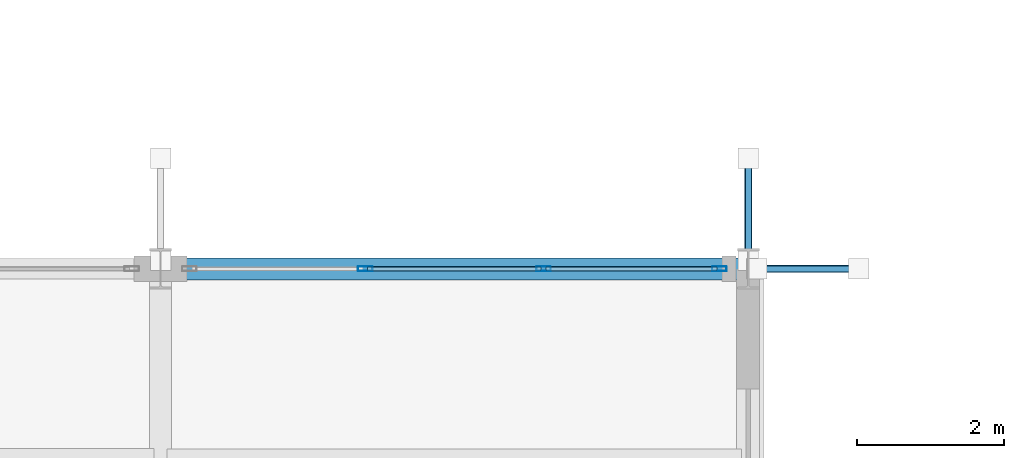
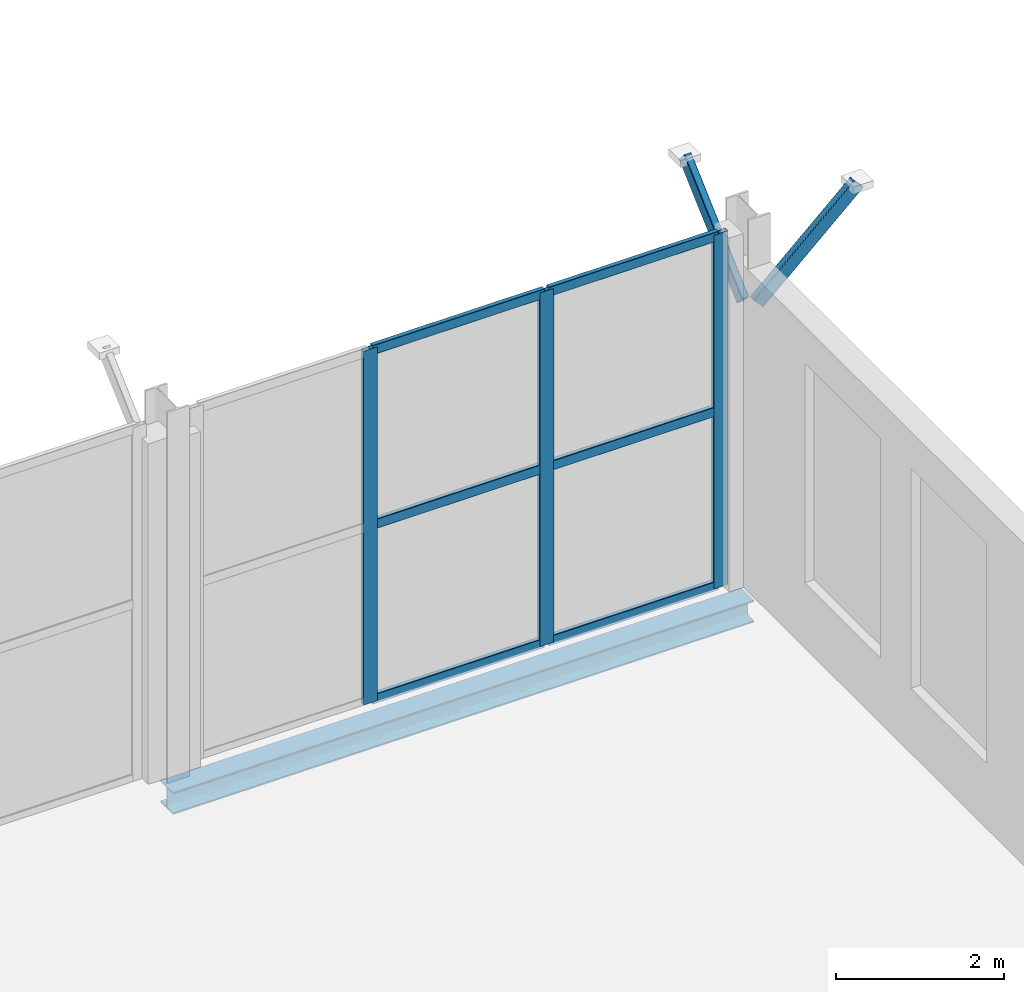
# One storey, part 33 of 147: 11 members, 1 beam, 1 element without a shape of its own.
"""IFC4 building model written with IfcOpenShell, lengths in metres."""

from ifc_helpers import new_model, si_unit, direction, frame, origin, origin_2d, place, context, subcontext, project, spatial, hollow_rectangle, i_section, extrude, material, layer, layer_set, material_profile, profile_set, type_object, element, aggregate, save


model = new_model("IFC4")

# Units and contexts
model_context = context("Model", 3, precision=1e-05, world=origin(), true_north=direction((0.0, 1.0)))
body_context = subcontext(model_context, "Body", "Model", "MODEL_VIEW")
ifc_project = project(units=[si_unit("LENGTHUNIT", "METRE"), si_unit("AREAUNIT", "SQUARE_METRE"), si_unit("VOLUMEUNIT", "CUBIC_METRE"), si_unit("PLANEANGLEUNIT", "RADIAN"), si_unit("MASSUNIT", "GRAM", prefix="KILO")], contexts=[model_context])

# Site, building, storey
site_placement = place(None, origin())
site = spatial("IfcSite", under=ifc_project, at=site_placement, CompositionType="ELEMENT")
building_placement = place(site_placement, origin())
building = spatial("IfcBuilding", under=site, at=building_placement, Name="Vekula Escarpment Museum", CompositionType="ELEMENT")
storey_placement = place(building_placement, frame((0.0, 0.0, 7.800048828125)))
storey = spatial("IfcBuildingStorey", under=building, at=storey_placement, Name="L02", CompositionType="ELEMENT", Elevation=7.800048828125)

# Beam
ifc_material_1 = material(Name="Steel S355", Category="steel")
ifc_material_profile_1 = material_profile(ifc_material_1, i_section(OverallWidth=0.300048828125, OverallDepth=0.320068359375, WebThickness=0.011474609375, FlangeThickness=0.0205078125, FilletRadius=0.027099609375, at=origin_2d()), Name="HEB 320")
ifc_profile_set_1 = profile_set([ifc_material_profile_1], Name="Steel S355")
beam_type = type_object("IfcBeamType", Name="BM-GIRD-HEB320", PredefinedType="BEAM", material=ifc_profile_set_1)
beam_placement = place(storey_placement, frame((110.0, 15.199951171875, -0.420166015625), z_axis=(1.0, 0.0, 0.0), x_axis=(0.0, 1.0, 0.0)))
element("IfcBeam", 1, at=beam_placement, inside=storey, type_object=beam_type, Name="Beam X L02 0821", PredefinedType="BEAM", context=body_context, shape_type="SweptSolid", body=[
    extrude(i_section(OverallWidth=0.300048828125, OverallDepth=0.320068359375, WebThickness=0.011474609375, FlangeThickness=0.0205078125, FilletRadius=0.027099609375, at=origin_2d()), origin(), (0.0, 0.0, 1.0), 8.0),
])

# Curtain wall, members
ifc_material_2 = material(Name="Aluminium thermally broken framing", Category="aluminium")
ifc_layer = layer(ifc_material_2, 0.159912109375)
ifc_layer_set = layer_set([ifc_layer], Name="Aluminium thermally broken framing")
curtain_wall_type = type_object("IfcCurtainWallType", Name="CW-SYS-05", PredefinedType="NOTDEFINED", material=ifc_layer_set)
curtain_wall_placement = place(storey_placement, origin())
curtain_wall = element("IfcCurtainWall", 2, at=curtain_wall_placement, inside=storey, type_object=curtain_wall_type, Name="Curtain Wall CW-L02-095", PredefinedType="NOTDEFINED")
ifc_material_3 = material(Name="Aluminium anodized mullion", Category="aluminium")
ifc_material_profile_2 = material_profile(ifc_material_3, hollow_rectangle(XDim=0.06494140625, YDim=0.199951171875, WallThickness=0.00390625, InnerFilletRadius=0.00390625, OuterFilletRadius=0.008056640625, at=origin_2d()), Name="ALU 200x65x4")
ifc_profile_set_2 = profile_set([ifc_material_profile_2], Name="Aluminium anodized mullion")
member_type_1 = type_object("IfcMemberType", Name="CW-MUL-200", PredefinedType="MULLION", material=ifc_profile_set_2)
member_1_placement = place(storey_placement, frame((117.607421875, 15.199951171875, 0.0), z_axis=(0.0, 0.0, 1.0), x_axis=(0.0, -1.0, 0.0)))
member_1 = element("IfcMember", 3, at=member_1_placement, type_object=member_type_1, Name="CW-05 mullion 1", PredefinedType="MULLION", context=body_context, shape_type="SweptSolid", body=[
    extrude(hollow_rectangle(XDim=0.06494140625, YDim=0.199951171875, WallThickness=0.00390625, InnerFilletRadius=0.00390625, OuterFilletRadius=0.008056640625, at=origin_2d()), origin(), (0.0, 0.0, 1.0), 5.14990234375),
])
member_2_placement = place(storey_placement, frame((115.21337890625, 15.199951171875, 0.0), z_axis=(0.0, 0.0, 1.0), x_axis=(0.0, -1.0, 0.0)))
member_2 = element("IfcMember", 4, at=member_2_placement, type_object=member_type_1, Name="CW-05 mullion 2", PredefinedType="MULLION", context=body_context, shape_type="SweptSolid", body=[
    extrude(hollow_rectangle(XDim=0.06494140625, YDim=0.199951171875, WallThickness=0.00390625, InnerFilletRadius=0.00390625, OuterFilletRadius=0.008056640625, at=origin_2d()), origin(), (0.0, 0.0, 1.0), 5.14990234375),
])
member_3_placement = place(storey_placement, frame((112.78662109375, 15.199951171875, 0.0), z_axis=(0.0, 0.0, 1.0), x_axis=(0.0, -1.0, 0.0)))
member_3 = element("IfcMember", 5, at=member_3_placement, type_object=member_type_1, Name="CW-05 mullion 3", PredefinedType="MULLION", context=body_context, shape_type="SweptSolid", body=[
    extrude(hollow_rectangle(XDim=0.06494140625, YDim=0.199951171875, WallThickness=0.00390625, InnerFilletRadius=0.00390625, OuterFilletRadius=0.008056640625, at=origin_2d()), origin(), (0.0, 0.0, 1.0), 5.14990234375),
])
ifc_material_4 = material(Name="Aluminium anodized transom", Category="aluminium")
ifc_material_profile_3 = material_profile(ifc_material_4, hollow_rectangle(XDim=0.06494140625, YDim=0.139892578125, WallThickness=0.00390625, InnerFilletRadius=0.00390625, OuterFilletRadius=0.008056640625, at=origin_2d()), Name="ALU 140x65x4")
ifc_profile_set_3 = profile_set([ifc_material_profile_3], Name="Aluminium anodized transom")
member_type_2 = type_object("IfcMemberType", Name="CW-TRN-140", PredefinedType="USERDEFINED", material=ifc_profile_set_3)
member_4_placement = place(storey_placement, frame((117.574951171875, 15.199951171875, 0.032470703125), z_axis=(-1.0, 0.0, 0.0), x_axis=(0.0, -1.0, 0.0)))
member_4 = element("IfcMember", 6, at=member_4_placement, type_object=member_type_2, Name="CW-05 transom 1.1", ObjectType="TRANSOM", PredefinedType="USERDEFINED", context=body_context, shape_type="SweptSolid", body=[
    extrude(hollow_rectangle(XDim=0.06494140625, YDim=0.139892578125, WallThickness=0.00390625, InnerFilletRadius=0.00390625, OuterFilletRadius=0.008056640625, at=origin_2d()), origin(), (0.0, 0.0, 1.0), 2.3291015625),
])
member_5_placement = place(storey_placement, frame((117.574951171875, 15.199951171875, 2.574951171875), z_axis=(-1.0, 0.0, 0.0), x_axis=(0.0, -1.0, 0.0)))
member_5 = element("IfcMember", 7, at=member_5_placement, type_object=member_type_2, Name="CW-05 transom 1.2", ObjectType="TRANSOM", PredefinedType="USERDEFINED", context=body_context, shape_type="SweptSolid", body=[
    extrude(hollow_rectangle(XDim=0.06494140625, YDim=0.139892578125, WallThickness=0.00390625, InnerFilletRadius=0.00390625, OuterFilletRadius=0.008056640625, at=origin_2d()), origin(), (0.0, 0.0, 1.0), 2.3291015625),
])
member_6_placement = place(storey_placement, frame((117.574951171875, 15.199951171875, 5.117431640625), z_axis=(-1.0, 0.0, 0.0), x_axis=(0.0, -1.0, 0.0)))
member_6 = element("IfcMember", 8, at=member_6_placement, type_object=member_type_2, Name="CW-05 transom 1.3", ObjectType="TRANSOM", PredefinedType="USERDEFINED", context=body_context, shape_type="SweptSolid", body=[
    extrude(hollow_rectangle(XDim=0.06494140625, YDim=0.139892578125, WallThickness=0.00390625, InnerFilletRadius=0.00390625, OuterFilletRadius=0.008056640625, at=origin_2d()), origin(), (0.0, 0.0, 1.0), 2.3291015625),
])
member_7_placement = place(storey_placement, frame((115.180908203125, 15.199951171875, 0.032470703125), z_axis=(-1.0, 0.0, 0.0), x_axis=(0.0, -1.0, 0.0)))
member_7 = element("IfcMember", 9, at=member_7_placement, type_object=member_type_2, Name="CW-05 transom 2.1", ObjectType="TRANSOM", PredefinedType="USERDEFINED", context=body_context, shape_type="SweptSolid", body=[
    extrude(hollow_rectangle(XDim=0.06494140625, YDim=0.139892578125, WallThickness=0.00390625, InnerFilletRadius=0.00390625, OuterFilletRadius=0.008056640625, at=origin_2d()), origin(), (0.0, 0.0, 1.0), 2.36181640625),
])
member_8_placement = place(storey_placement, frame((115.180908203125, 15.199951171875, 2.574951171875), z_axis=(-1.0, 0.0, 0.0), x_axis=(0.0, -1.0, 0.0)))
member_8 = element("IfcMember", 10, at=member_8_placement, type_object=member_type_2, Name="CW-05 transom 2.2", ObjectType="TRANSOM", PredefinedType="USERDEFINED", context=body_context, shape_type="SweptSolid", body=[
    extrude(hollow_rectangle(XDim=0.06494140625, YDim=0.139892578125, WallThickness=0.00390625, InnerFilletRadius=0.00390625, OuterFilletRadius=0.008056640625, at=origin_2d()), origin(), (0.0, 0.0, 1.0), 2.36181640625),
])
member_9_placement = place(storey_placement, frame((115.180908203125, 15.199951171875, 5.117431640625), z_axis=(-1.0, 0.0, 0.0), x_axis=(0.0, -1.0, 0.0)))
member_9 = element("IfcMember", 11, at=member_9_placement, type_object=member_type_2, Name="CW-05 transom 2.3", ObjectType="TRANSOM", PredefinedType="USERDEFINED", context=body_context, shape_type="SweptSolid", body=[
    extrude(hollow_rectangle(XDim=0.06494140625, YDim=0.139892578125, WallThickness=0.00390625, InnerFilletRadius=0.00390625, OuterFilletRadius=0.008056640625, at=origin_2d()), origin(), (0.0, 0.0, 1.0), 2.36181640625),
])
aggregate(curtain_wall, [member_1, member_2, member_3, member_4, member_5, member_6, member_7, member_8, member_9])

# Members
ifc_material_5 = material(Name="Steel S355", Category="steel")
ifc_material_profile_4 = material_profile(ifc_material_5, hollow_rectangle(XDim=0.10009765625, YDim=0.199951171875, WallThickness=0.008056640625, InnerFilletRadius=0.008056640625, OuterFilletRadius=0.01611328125, at=origin_2d()), Name="RHS 200x100x8")
ifc_profile_set_4 = profile_set([ifc_material_profile_4], Name="Steel S355")
member_type_3 = type_object("IfcMemberType", Name="MB-SACAK-BRK", PredefinedType="STRUT", material=ifc_profile_set_4)
for number, where, z_axis, x_axis, name in (
    (12, (118.1201171875, 15.199951171875, 3.949951171875), (0.738454378718, 0.0, 0.674303441006), (0.0, 1.0, 0.0), "Ottoman Sacak Eave Bracket L03-0075"),
    (13, (118.0, 15.320068359375, 3.949951171875), (0.0, 0.738454378718, 0.674303441006), (-1.0, 0.0, 0.0), "Ottoman Sacak Eave Bracket L03-0076"),
):
    element("IfcMember", number, at=place(storey_placement, frame(where, z_axis=z_axis, x_axis=x_axis)), inside=storey, type_object=member_type_3, Name=name, PredefinedType="STRUT", context=body_context, shape_type="SweptSolid", body=[
        extrude(hollow_rectangle(XDim=0.10009765625, YDim=0.199951171875, WallThickness=0.008056640625, InnerFilletRadius=0.008056640625, OuterFilletRadius=0.01611328125, at=origin_2d()), origin(), (0.0, 0.0, 1.0), 1.86865234375),
    ])

save(model, "model.ifc")
